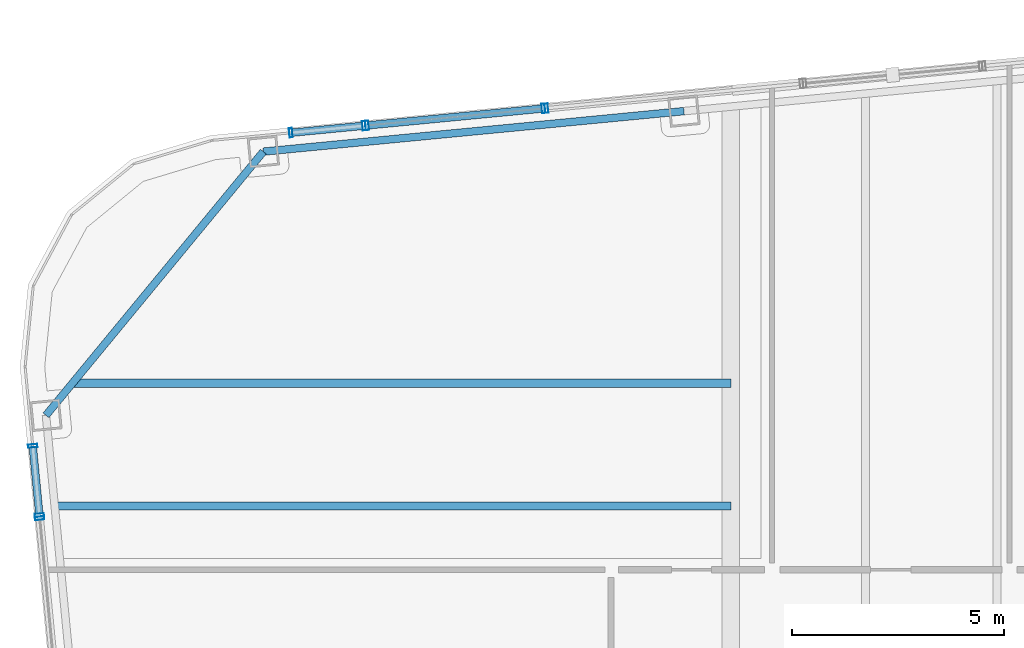
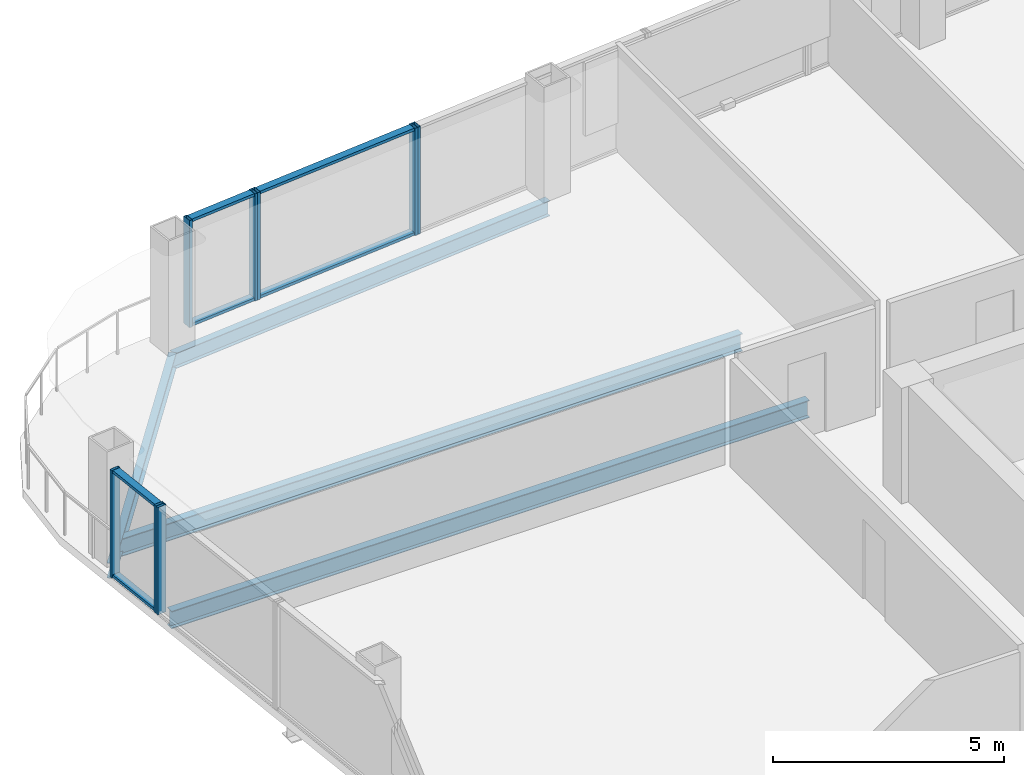
# One storey, part 12 of 22: 14 members, 4 beams, 5 elements without a shape of their own.
"""IFC4 building model written with IfcOpenShell, lengths in metres."""

from ifc_helpers import new_model, si_unit, direction, frame, origin, origin_2d, place, context, subcontext, project, spatial, hollow_rectangle, i_section, extrude, material, layer, layer_set, material_profile, profile_set, type_object, element, aggregate, save


model = new_model("IFC4")

# Units and contexts
model_context = context("Model", 3, precision=1e-05, world=origin(), true_north=direction((0.0, 1.0)))
body_context = subcontext(model_context, "Body", "Model", "MODEL_VIEW")
ifc_project = project(units=[si_unit("LENGTHUNIT", "METRE"), si_unit("AREAUNIT", "SQUARE_METRE"), si_unit("VOLUMEUNIT", "CUBIC_METRE"), si_unit("PLANEANGLEUNIT", "RADIAN"), si_unit("MASSUNIT", "GRAM", prefix="KILO")], contexts=[model_context])

# Site, building, storey
site_placement = place(None, origin())
site = spatial("IfcSite", under=ifc_project, at=site_placement, CompositionType="ELEMENT")
building_placement = place(site_placement, origin())
building = spatial("IfcBuilding", under=site, at=building_placement, Name="Qhalaya Broadcast Tower", CompositionType="ELEMENT")
storey_placement = place(building_placement, frame((0.0, 0.0, 171.39990234375)))
storey = spatial("IfcBuildingStorey", under=building, at=storey_placement, Name="L50", CompositionType="ELEMENT", Elevation=171.39990234375)

# Beams
ifc_material_1 = material(Name="Structural Steel ASTM A992 Grade 50", Category="steel")
ifc_material_profile_1 = material_profile(ifc_material_1, i_section(OverallWidth=0.19189453125, OverallDepth=0.462890625, WebThickness=0.010498046875, FlangeThickness=0.017578125, at=origin_2d()), Name="W18X60")
ifc_profile_set_1 = profile_set([ifc_material_profile_1], Name="Structural Steel ASTM A992 Grade 50")
beam_type_1 = type_object("IfcBeamType", Name="Composite Floor Joist J03", PredefinedType="JOIST", material=ifc_profile_set_1)
beam_1_placement = place(storey_placement, frame((-25.301513671875, 14.300048828125, -0.451416015625), z_axis=(1.0, 0.0, 0.0), x_axis=(0.0, 1.0, 0.0)))
element("IfcBeam", 1, at=beam_1_placement, inside=storey, type_object=beam_type_1, Name="L50 J03 L50-JWE6W-1", PredefinedType="JOIST", context=body_context, shape_type="SweptSolid", body=[
    extrude(i_section(OverallWidth=0.19189453125, OverallDepth=0.462890625, WebThickness=0.010498046875, FlangeThickness=0.017578125, at=origin_2d()), origin(), (0.0, 0.0, 1.0), 15.926513671875),
])
beam_2_placement = place(storey_placement, frame((-24.876953125, 17.199951171875, -0.451416015625), z_axis=(1.0, 0.0, 0.0), x_axis=(0.0, 1.0, 0.0)))
element("IfcBeam", 2, at=beam_2_placement, inside=storey, type_object=beam_type_1, Name="L50 J03 L50-JWE7W-1", PredefinedType="JOIST", context=body_context, shape_type="SweptSolid", body=[
    extrude(i_section(OverallWidth=0.19189453125, OverallDepth=0.462890625, WebThickness=0.010498046875, FlangeThickness=0.017578125, at=origin_2d()), origin(), (0.0, 0.0, 1.0), 15.501953125),
])

# Curtain wall, member
ifc_material_2 = material(Name="Fired Architectural Terracotta", Category="masonry")
ifc_layer_1 = layer(ifc_material_2, 0.219970703125, Name="Fired Architectural Terracotta")
ifc_layer_set_1 = layer_set([ifc_layer_1], Name="Fired Architectural Terracotta")
curtain_wall_type_1 = type_object("IfcCurtainWallType", Name="Block-Cap Unitised Terracotta Spandrel Wall CW-07", PredefinedType="NOTDEFINED", material=ifc_layer_set_1)
curtain_wall_1_placement = place(storey_placement, origin())
curtain_wall_1 = element("IfcCurtainWall", 3, at=curtain_wall_1_placement, inside=storey, type_object=curtain_wall_type_1, Name="L50 Unitised Curtain Wall L50-CW-N5", PredefinedType="NOTDEFINED")
ifc_material_3 = material(Name="Anodised Aluminium 6063-T6", Category="aluminium")
ifc_material_profile_2 = material_profile(ifc_material_3, hollow_rectangle(XDim=0.074951171875, YDim=0.219970703125, WallThickness=0.00390625, at=origin_2d()), Name="ALU-MUL 75x220x4")
ifc_profile_set_2 = profile_set([ifc_material_profile_2], Name="Anodised Aluminium 6063-T6")
member_type_1 = type_object("IfcMemberType", Name="Unitised Curtain-Wall Mullion M01", PredefinedType="MULLION", material=ifc_profile_set_2)
member_1_placement = place(storey_placement, frame((-13.722412109375, 23.686767578125, 0.0), z_axis=(0.0, 0.0, 1.0), x_axis=(-0.995395960619, -0.095848221597, 0.0)))
member_1 = element("IfcMember", 4, at=member_1_placement, type_object=member_type_1, Name="CW-07 mullion 2", PredefinedType="MULLION", context=body_context, shape_type="SweptSolid", body=[
    extrude(hollow_rectangle(XDim=0.074951171875, YDim=0.219970703125, WallThickness=0.00390625, at=origin_2d()), origin(), (0.0, 0.0, 1.0), 2.830078125),
])
aggregate(curtain_wall_1, [member_1])

# Curtain wall, members
ifc_material_4 = material(Name="Solar-Control Low-E Triple Glazing", Category="glass")
ifc_layer_2 = layer(ifc_material_4, 0.219970703125, Name="Solar-Control Low-E Triple Glazing")
ifc_layer_set_2 = layer_set([ifc_layer_2], Name="Solar-Control Low-E Triple Glazing")
curtain_wall_type_2 = type_object("IfcCurtainWallType", Name="Even-Block 4-Storey Double-Module Curtain Wall CW-03", PredefinedType="NOTDEFINED", material=ifc_layer_set_2)
curtain_wall_2_placement = place(storey_placement, origin())
curtain_wall_2 = element("IfcCurtainWall", 5, at=curtain_wall_2_placement, inside=storey, type_object=curtain_wall_type_2, Name="L50 Unitised Curtain Wall L50-CW-N6", PredefinedType="NOTDEFINED")
member_2_placement = place(storey_placement, frame((-13.797119140625, 23.6796875, 0.0), z_axis=(0.0, 0.0, 1.0), x_axis=(-0.995397339057, -0.095833905262, 0.0)))
member_2 = element("IfcMember", 6, at=member_2_placement, type_object=member_type_1, Name="CW-03 mullion 1", PredefinedType="MULLION", context=body_context, shape_type="SweptSolid", body=[
    extrude(hollow_rectangle(XDim=0.074951171875, YDim=0.219970703125, WallThickness=0.00390625, at=origin_2d()), origin(), (0.0, 0.0, 1.0), 2.830078125),
])
member_3_placement = place(storey_placement, frame((-17.952880859375, 23.279541015625, 0.0), z_axis=(0.0, 0.0, 1.0), x_axis=(-0.995397339057, -0.095833905262, 0.0)))
member_3 = element("IfcMember", 7, at=member_3_placement, type_object=member_type_1, Name="CW-03 mullion 2", PredefinedType="MULLION", context=body_context, shape_type="SweptSolid", body=[
    extrude(hollow_rectangle(XDim=0.074951171875, YDim=0.219970703125, WallThickness=0.00390625, at=origin_2d()), origin(), (0.0, 0.0, 1.0), 2.830078125),
])

curtain_wall_3_placement = place(storey_placement, origin())
curtain_wall_3 = element("IfcCurtainWall", 8, at=curtain_wall_3_placement, inside=storey, type_object=curtain_wall_type_1, Name="L50 Unitised Curtain Wall L50-CW-N7", PredefinedType="NOTDEFINED")
member_4_placement = place(storey_placement, frame((-18.027587890625, 23.272216796875, 0.0), z_axis=(0.0, 0.0, 1.0), x_axis=(-0.995395236376, -0.095855742651, 0.0)))
member_4 = element("IfcMember", 9, at=member_4_placement, type_object=member_type_1, Name="CW-07 mullion 1", PredefinedType="MULLION", context=body_context, shape_type="SweptSolid", body=[
    extrude(hollow_rectangle(XDim=0.074951171875, YDim=0.219970703125, WallThickness=0.00390625, at=origin_2d()), origin(), (0.0, 0.0, 1.0), 2.830078125),
])
member_5_placement = place(storey_placement, frame((-19.75244140625, 23.106201171875, 0.0), z_axis=(0.0, 0.0, 1.0), x_axis=(-0.995395236376, -0.095855742651, 0.0)))
member_5 = element("IfcMember", 10, at=member_5_placement, type_object=member_type_1, Name="CW-07 mullion 2", PredefinedType="MULLION", context=body_context, shape_type="SweptSolid", body=[
    extrude(hollow_rectangle(XDim=0.074951171875, YDim=0.219970703125, WallThickness=0.00390625, at=origin_2d()), origin(), (0.0, 0.0, 1.0), 2.830078125),
])

curtain_wall_4_placement = place(storey_placement, origin())
curtain_wall_4 = element("IfcCurtainWall", 11, at=curtain_wall_4_placement, inside=storey, type_object=curtain_wall_type_1, Name="L50 Unitised Curtain Wall L50-CW-W1", PredefinedType="NOTDEFINED")
member_6_placement = place(storey_placement, frame((-25.840087890625, 15.72119140625, 0.0), z_axis=(0.0, 0.0, 1.0), x_axis=(0.095860176134, -0.995394809426, 0.0)))
member_6 = element("IfcMember", 12, at=member_6_placement, type_object=member_type_1, Name="CW-07 mullion 1", PredefinedType="MULLION", context=body_context, shape_type="SweptSolid", body=[
    extrude(hollow_rectangle(XDim=0.074951171875, YDim=0.219970703125, WallThickness=0.00390625, at=origin_2d()), origin(), (0.0, 0.0, 1.0), 2.830078125),
])
member_7_placement = place(storey_placement, frame((-25.68310546875, 14.088623046875, 0.0), z_axis=(0.0, 0.0, 1.0), x_axis=(0.095860176134, -0.995394809426, 0.0)))
member_7 = element("IfcMember", 13, at=member_7_placement, type_object=member_type_1, Name="CW-07 mullion 2", PredefinedType="MULLION", context=body_context, shape_type="SweptSolid", body=[
    extrude(hollow_rectangle(XDim=0.074951171875, YDim=0.219970703125, WallThickness=0.00390625, at=origin_2d()), origin(), (0.0, 0.0, 1.0), 2.830078125),
])

# Curtain wall, member
curtain_wall_5_placement = place(storey_placement, origin())
curtain_wall_5 = element("IfcCurtainWall", 14, at=curtain_wall_5_placement, inside=storey, type_object=curtain_wall_type_2, Name="L50 Unitised Curtain Wall L50-CW-W2", PredefinedType="NOTDEFINED")
member_8_placement = place(storey_placement, frame((-25.67578125, 14.01416015625, 0.0), z_axis=(0.0, 0.0, 1.0), x_axis=(0.095830074124, -0.9953977079, 0.0)))
member_8 = element("IfcMember", 15, at=member_8_placement, type_object=member_type_1, Name="CW-03 mullion 1", PredefinedType="MULLION", context=body_context, shape_type="SweptSolid", body=[
    extrude(hollow_rectangle(XDim=0.074951171875, YDim=0.219970703125, WallThickness=0.00390625, at=origin_2d()), origin(), (0.0, 0.0, 1.0), 2.830078125),
])
aggregate(curtain_wall_5, [member_8])

# Member
ifc_material_profile_3 = material_profile(ifc_material_3, hollow_rectangle(XDim=0.074951171875, YDim=0.179931640625, WallThickness=0.00390625, at=origin_2d()), Name="ALU-TRN 75x180x4")
ifc_profile_set_3 = profile_set([ifc_material_profile_3], Name="Anodised Aluminium 6063-T6")
member_type_2 = type_object("IfcMemberType", Name="Unitised Curtain-Wall Transom T01", PredefinedType="USERDEFINED", material=ifc_profile_set_3)
member_9_placement = place(storey_placement, frame((-13.83447265625, 23.676025390625, 0.03759765625), z_axis=(-0.995399423143, -0.095812256032, 0.0), x_axis=(0.0, 0.0, 1.0)))
member_9 = element("IfcMember", 16, at=member_9_placement, type_object=member_type_2, Name="CW-03 transom 1.1", ObjectType="TRANSOM", PredefinedType="USERDEFINED", context=body_context, shape_type="SweptSolid", body=[
    extrude(hollow_rectangle(XDim=0.074951171875, YDim=0.179931640625, WallThickness=0.00390625, at=origin_2d()), origin(), (0.0, 0.0, 1.0), 4.099853515625),
])

member_10_placement = place(storey_placement, frame((-13.83447265625, 23.676025390625, 2.79248046875), z_axis=(-0.995399423143, -0.095812256032, 0.0), x_axis=(0.0, 0.0, 1.0)))
member_10 = element("IfcMember", 17, at=member_10_placement, type_object=member_type_2, Name="CW-03 transom 1.2", ObjectType="TRANSOM", PredefinedType="USERDEFINED", context=body_context, shape_type="SweptSolid", body=[
    extrude(hollow_rectangle(XDim=0.074951171875, YDim=0.179931640625, WallThickness=0.00390625, at=origin_2d()), origin(), (0.0, 0.0, 1.0), 4.099853515625),
])

aggregate(curtain_wall_2, [member_2, member_3, member_9, member_10])

member_11_placement = place(storey_placement, frame((-18.06494140625, 23.268798828125, 0.03759765625), z_axis=(-0.995393636341, -0.095872356452, 0.0), x_axis=(0.0, 0.0, 1.0)))
member_11 = element("IfcMember", 18, at=member_11_placement, type_object=member_type_2, Name="CW-07 transom 1.1", ObjectType="TRANSOM", PredefinedType="USERDEFINED", context=body_context, shape_type="SweptSolid", body=[
    extrude(hollow_rectangle(XDim=0.074951171875, YDim=0.179931640625, WallThickness=0.00390625, at=origin_2d()), origin(), (0.0, 0.0, 1.0), 1.65771484375),
])

member_12_placement = place(storey_placement, frame((-18.06494140625, 23.268798828125, 2.79248046875), z_axis=(-0.995393636341, -0.095872356452, 0.0), x_axis=(0.0, 0.0, 1.0)))
member_12 = element("IfcMember", 19, at=member_12_placement, type_object=member_type_2, Name="CW-07 transom 1.2", ObjectType="TRANSOM", PredefinedType="USERDEFINED", context=body_context, shape_type="SweptSolid", body=[
    extrude(hollow_rectangle(XDim=0.074951171875, YDim=0.179931640625, WallThickness=0.00390625, at=origin_2d()), origin(), (0.0, 0.0, 1.0), 1.65771484375),
])

aggregate(curtain_wall_3, [member_4, member_5, member_11, member_12])

member_13_placement = place(storey_placement, frame((-25.836669921875, 15.683837890625, 0.03759765625), z_axis=(0.095935332203, -0.995387568757, 0.0), x_axis=(0.0, 0.0, 1.0)))
member_13 = element("IfcMember", 20, at=member_13_placement, type_object=member_type_2, Name="CW-07 transom 1.1", ObjectType="TRANSOM", PredefinedType="USERDEFINED", context=body_context, shape_type="SweptSolid", body=[
    extrude(hollow_rectangle(XDim=0.074951171875, YDim=0.179931640625, WallThickness=0.00390625, at=origin_2d()), origin(), (0.0, 0.0, 1.0), 1.565185546875),
])

member_14_placement = place(storey_placement, frame((-25.836669921875, 15.683837890625, 2.79248046875), z_axis=(0.095935332203, -0.995387568757, 0.0), x_axis=(0.0, 0.0, 1.0)))
member_14 = element("IfcMember", 21, at=member_14_placement, type_object=member_type_2, Name="CW-07 transom 1.2", ObjectType="TRANSOM", PredefinedType="USERDEFINED", context=body_context, shape_type="SweptSolid", body=[
    extrude(hollow_rectangle(XDim=0.074951171875, YDim=0.179931640625, WallThickness=0.00390625, at=origin_2d()), origin(), (0.0, 0.0, 1.0), 1.565185546875),
])

aggregate(curtain_wall_4, [member_6, member_7, member_13, member_14])

# Beams
ifc_material_profile_4 = material_profile(ifc_material_1, i_section(OverallWidth=0.177978515625, OverallDepth=0.406005859375, WebThickness=0.0078125, FlangeThickness=0.0126953125, at=origin_2d()), Name="W16X40")
ifc_profile_set_4 = profile_set([ifc_material_profile_4], Name="Structural Steel ASTM A992 Grade 50")
beam_type_2 = type_object("IfcBeamType", Name="Upper Perimeter Spandrel Beam SP2", PredefinedType="SPANDREL", material=ifc_profile_set_4)
beam_3_placement = place(storey_placement, frame((-10.4794921875, 23.6171875, -0.4228515625), z_axis=(-0.995398071879, -0.095826293365, 0.0), x_axis=(0.095826293365, -0.995398071879, 0.0)))
element("IfcBeam", 22, at=beam_3_placement, inside=storey, type_object=beam_type_2, Name="L50 SP2 L50-SPR-11", PredefinedType="SPANDREL", context=body_context, shape_type="SweptSolid", body=[
    extrude(i_section(OverallWidth=0.177978515625, OverallDepth=0.406005859375, WebThickness=0.0078125, FlangeThickness=0.0126953125, at=origin_2d()), origin(), (0.0, 0.0, 1.0), 9.966796875),
])
beam_4_placement = place(storey_placement, frame((-20.400390625, 22.662109375, -0.4228515625), z_axis=(-0.636070241972, -0.771631160126, 0.0), x_axis=(0.771631160126, -0.636070241972, 0.0)))
element("IfcBeam", 23, at=beam_4_placement, inside=storey, type_object=beam_type_2, Name="L50 SP2 L50-SPR-12", PredefinedType="SPANDREL", context=body_context, shape_type="SweptSolid", body=[
    extrude(i_section(OverallWidth=0.177978515625, OverallDepth=0.406005859375, WebThickness=0.0078125, FlangeThickness=0.0126953125, at=origin_2d()), origin(), (0.0, 0.0, 1.0), 8.06103515625),
])

save(model, "model.ifc")
